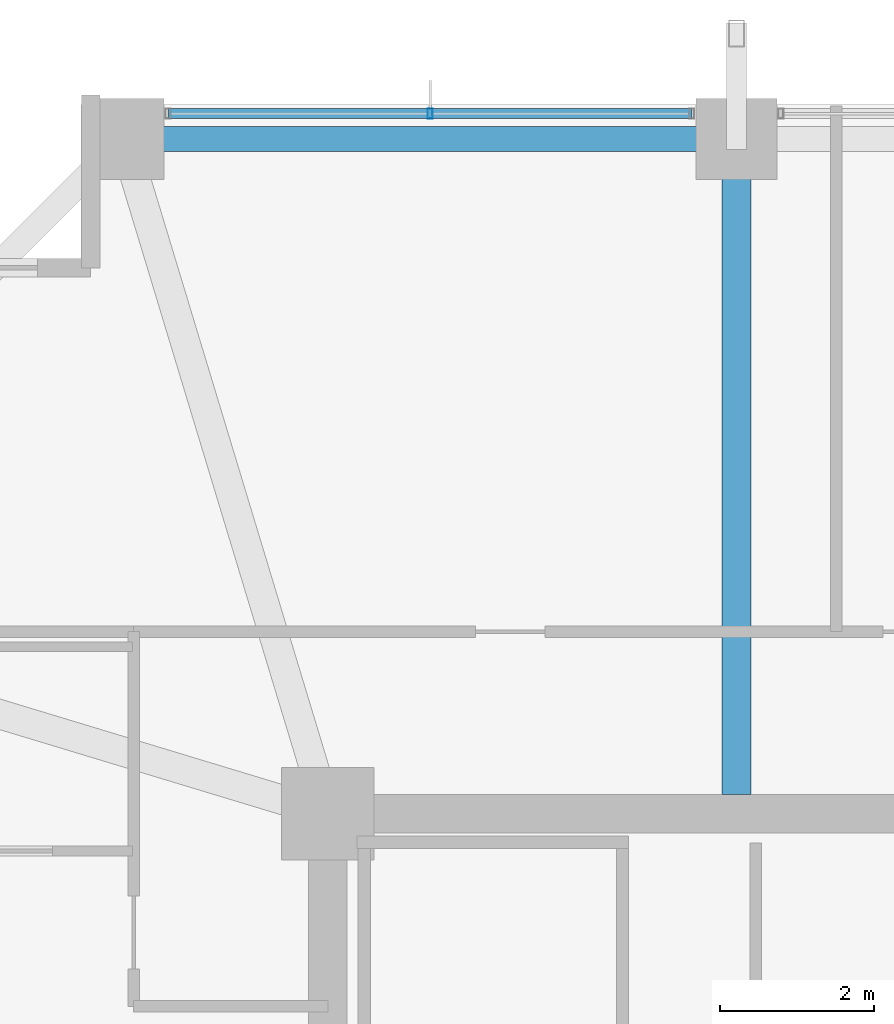
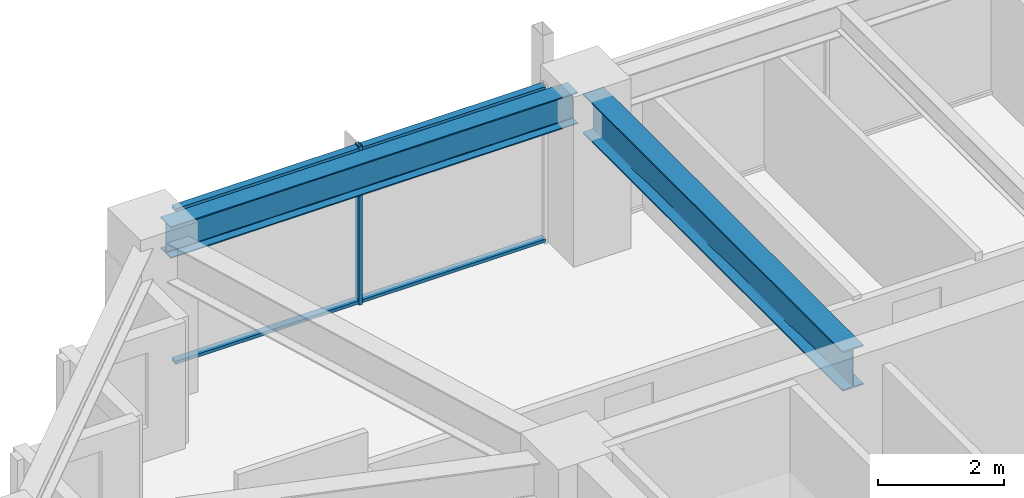
# One storey, part 19 of 35: 3 members, 2 beams, 1 element without a shape of its own.
"""IFC4 building model written with IfcOpenShell, lengths in metres."""

from ifc_helpers import new_model, si_unit, direction, frame, origin, origin_2d, place, context, subcontext, project, spatial, hollow_rectangle, i_section, extrude, material, material_profile, profile_set, type_object, element, aggregate, save


model = new_model("IFC4")

# Units and contexts
model_context = context("Model", 3, precision=1e-05, world=origin(), true_north=direction((0.0, 1.0)))
body_context = subcontext(model_context, "Body", "Model", "MODEL_VIEW")
ifc_project = project(units=[si_unit("LENGTHUNIT", "METRE"), si_unit("AREAUNIT", "SQUARE_METRE"), si_unit("VOLUMEUNIT", "CUBIC_METRE"), si_unit("PLANEANGLEUNIT", "RADIAN"), si_unit("MASSUNIT", "GRAM", prefix="KILO")], contexts=[model_context])

# Site, building, storey
site_placement = place(None, origin())
site = spatial("IfcSite", under=ifc_project, at=site_placement, CompositionType="ELEMENT")
building_placement = place(site_placement, origin())
building = spatial("IfcBuilding", under=site, at=building_placement, Name="Kolvaren Belvedere", CompositionType="ELEMENT")
storey_placement = place(building_placement, frame((0.0, 0.0, 115.10009765625)))
storey = spatial("IfcBuildingStorey", under=building, at=storey_placement, Name="L33", CompositionType="ELEMENT", Elevation=115.10009765625)

# Beams
ifc_material_1 = material(Name="Structural steel ASTM A992 Grade 50", Category="steel")
ifc_material_profile_1 = material_profile(ifc_material_1, i_section(OverallWidth=0.381103515625, OverallDepth=0.77294921875, WebThickness=0.0166015625, FlangeThickness=0.027099609375, FilletRadius=0.02392578125, at=origin_2d()), Name="W30X173")
ifc_profile_set_1 = profile_set([ifc_material_profile_1], Name="Structural steel ASTM A992 Grade 50")
beam_type_1 = type_object("IfcBeamType", Name="BM-GIRD-W30X173", PredefinedType="BEAM", material=ifc_profile_set_1)
beam_1_placement = place(storey_placement, frame((-4.60009765625, 10.14990234375, 2.693359375), z_axis=(0.0, 1.0, 0.0), x_axis=(-1.0, 0.0, 0.0)))
element("IfcBeam", 1, at=beam_1_placement, inside=storey, type_object=beam_type_1, Name="L33 North Radial Girder M", PredefinedType="BEAM", context=body_context, shape_type="SweptSolid", body=[
    extrude(i_section(OverallWidth=0.381103515625, OverallDepth=0.77294921875, WebThickness=0.0166015625, FlangeThickness=0.027099609375, FilletRadius=0.02392578125, at=origin_2d()), origin(), (0.0, 0.0, 1.0), 8.263916015625),
])
ifc_material_2 = material(Name="Structural steel ASTM A992 Grade 50", Category="steel")
ifc_material_profile_2 = material_profile(ifc_material_2, i_section(OverallWidth=0.324951171875, OverallDepth=0.615966796875, WebThickness=0.013916015625, FlangeThickness=0.021484375, FilletRadius=0.02001953125, at=origin_2d()), Name="W24X117")
ifc_profile_set_2 = profile_set([ifc_material_profile_2], Name="Structural steel ASTM A992 Grade 50")
beam_type_2 = type_object("IfcBeamType", Name="BM-SPAN-W24X117", PredefinedType="SPANDREL", material=ifc_profile_set_2)
beam_2_placement = place(storey_placement, frame((-4.836181640625, 18.64990234375, 2.77197265625), z_axis=(-1.0, 0.0, 0.0), x_axis=(0.0, -1.0, 0.0)))
element("IfcBeam", 2, at=beam_2_placement, inside=storey, type_object=beam_type_2, Name="L33 Perimeter Spandrel N2-N1", PredefinedType="SPANDREL", context=body_context, shape_type="SweptSolid", body=[
    extrude(i_section(OverallWidth=0.324951171875, OverallDepth=0.615966796875, WebThickness=0.013916015625, FlangeThickness=0.021484375, FilletRadius=0.02001953125, at=origin_2d()), origin(), (0.0, 0.0, 1.0), 7.4775390625),
])

# Curtain wall, members
ifc_material_3 = material(Name="Anodised pale-metal aluminium AA 6063-T6", Category="aluminium")
curtain_wall_type = type_object("IfcCurtainWallType", Name="CW-Z3-WAIST", PredefinedType="NOTDEFINED", material=ifc_material_3)
curtain_wall_placement = place(storey_placement, origin())
curtain_wall = element("IfcCurtainWall", 3, at=curtain_wall_placement, inside=storey, type_object=curtain_wall_type, Name="L33 Unitised Curtain Wall FCW-L33-N-B1", PredefinedType="NOTDEFINED")
ifc_material_4 = material(Name="Anodised pale-metal aluminium AA 6063-T6", Category="aluminium")
ifc_material_profile_3 = material_profile(ifc_material_4, hollow_rectangle(XDim=0.06494140625, YDim=0.1298828125, WallThickness=0.00390625, at=origin_2d()), Name="ALU-MUL-130X65")
ifc_profile_set_3 = profile_set([ifc_material_profile_3], Name="Anodised pale-metal aluminium AA 6063-T6")
member_type_1 = type_object("IfcMemberType", Name="CW-MUL-130", PredefinedType="MULLION", material=ifc_profile_set_3)
member_1_placement = place(storey_placement, frame((-8.574951171875, 18.97998046875, 0.0), z_axis=(0.0, 0.0, 1.0), x_axis=(1.0, 0.0, 0.0)))
member_1 = element("IfcMember", 4, at=member_1_placement, type_object=member_type_1, Name="FCW-L33-N-B1 Unitised Mullion 2", PredefinedType="MULLION", context=body_context, shape_type="SweptSolid", body=[
    extrude(hollow_rectangle(XDim=0.06494140625, YDim=0.1298828125, WallThickness=0.00390625, at=origin_2d()), origin(), (0.0, 0.0, 1.0), 3.079833984375),
])
ifc_material_5 = material(Name="Anodised pale-metal aluminium AA 6063-T6", Category="aluminium")
ifc_material_profile_4 = material_profile(ifc_material_5, hollow_rectangle(XDim=0.06005859375, YDim=0.1298828125, WallThickness=0.00390625, at=origin_2d()), Name="ALU-TRN-130X60")
ifc_profile_set_4 = profile_set([ifc_material_profile_4], Name="Anodised pale-metal aluminium AA 6063-T6")
member_type_2 = type_object("IfcMemberType", Name="CW-TRN-130", PredefinedType="USERDEFINED", material=ifc_profile_set_4)
member_2_placement = place(storey_placement, frame((-11.972412109375, 18.97998046875, 0.059814453125), z_axis=(1.0, 0.0, 0.0), x_axis=(0.0, 0.0, 1.0)))
member_2 = element("IfcMember", 5, at=member_2_placement, type_object=member_type_2, Name="FCW-L33-N-B1 Sill Transom", ObjectType="TRANSOM", PredefinedType="USERDEFINED", context=body_context, shape_type="SweptSolid", body=[
    extrude(hollow_rectangle(XDim=0.06005859375, YDim=0.1298828125, WallThickness=0.00390625, at=origin_2d()), origin(), (0.0, 0.0, 1.0), 6.794921875),
])
member_3_placement = place(storey_placement, frame((-11.972412109375, 18.97998046875, 3.02001953125), z_axis=(1.0, 0.0, 0.0), x_axis=(0.0, 0.0, 1.0)))
member_3 = element("IfcMember", 6, at=member_3_placement, type_object=member_type_2, Name="FCW-L33-N-B1 Head Transom", ObjectType="TRANSOM", PredefinedType="USERDEFINED", context=body_context, shape_type="SweptSolid", body=[
    extrude(hollow_rectangle(XDim=0.06005859375, YDim=0.1298828125, WallThickness=0.00390625, at=origin_2d()), origin(), (0.0, 0.0, 1.0), 6.794921875),
])
aggregate(curtain_wall, [member_1, member_2, member_3])

save(model, "model.ifc")
